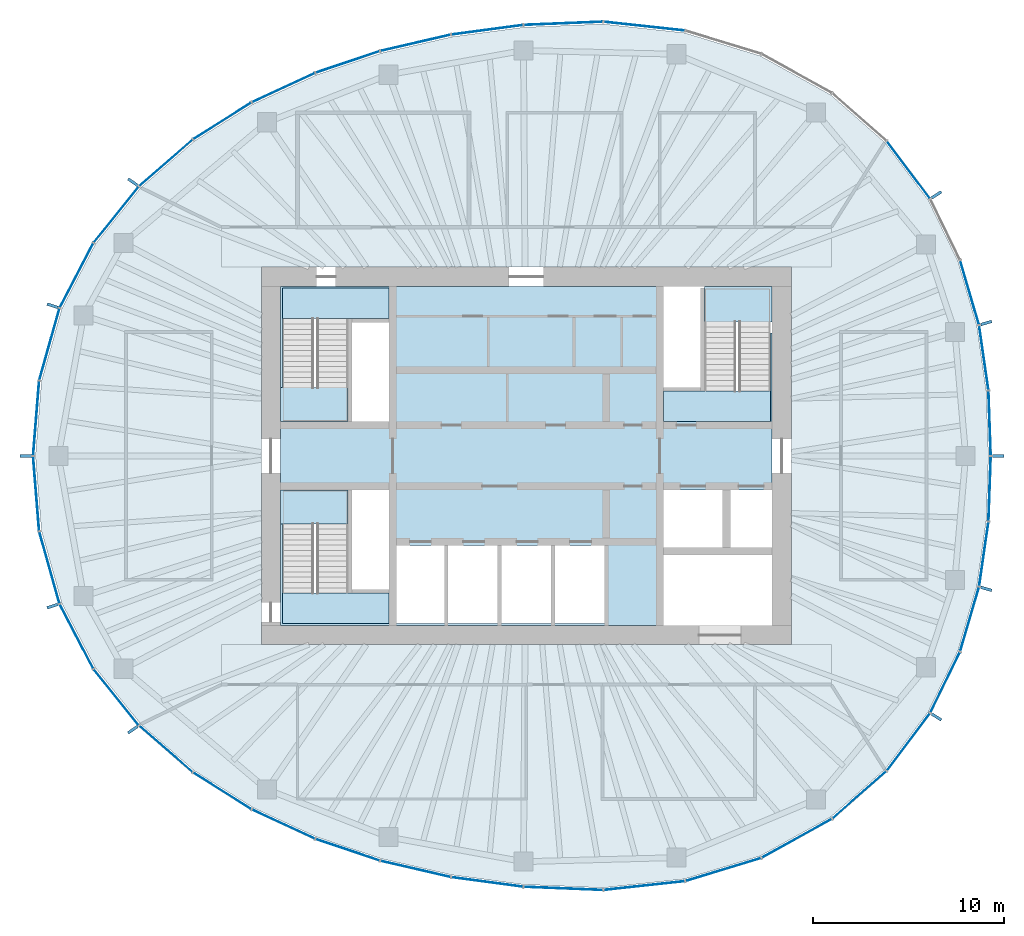
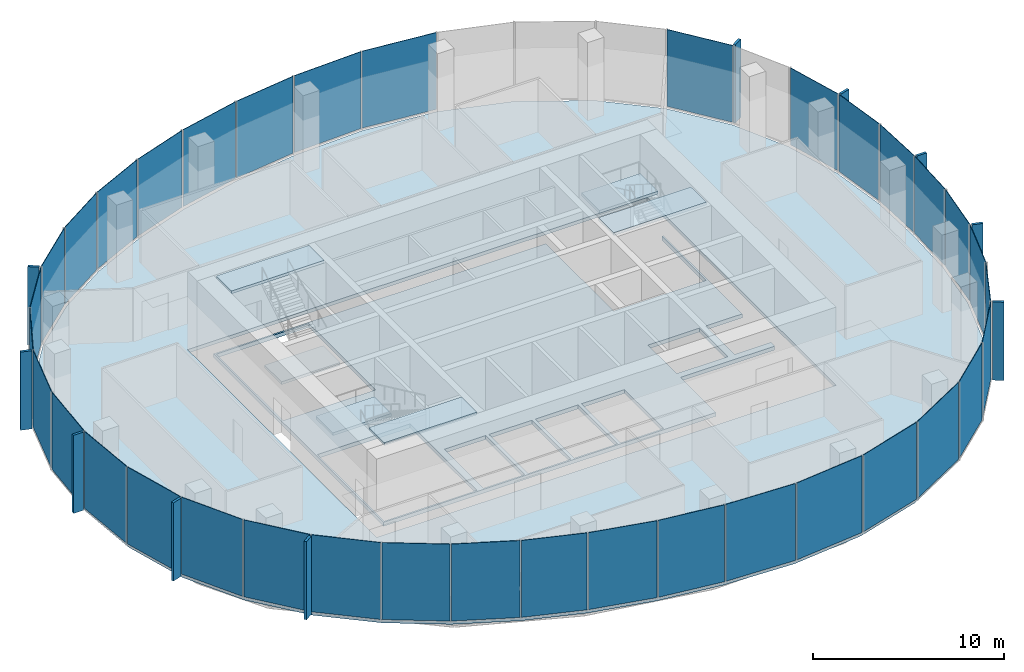
# One storey, part 7 of 11: 46 plates, 8 slabs, 22 elements without a shape of their own.
"""IFC4 building model written with IfcOpenShell, lengths in metres."""

from ifc_helpers import new_model, si_unit, direction, frame, origin, origin_2d, place, context, subcontext, project, spatial, polyline, rectangle, outline, extrude, material, layer, layer_set, type_object, element, aggregate, save


model = new_model("IFC4")

# Units and contexts
model_context = context("Model", 3, precision=1e-05, world=origin(), true_north=direction((0.0, 1.0)))
body_context = subcontext(model_context, "Body", "Model", "MODEL_VIEW")
ifc_project = project(units=[si_unit("LENGTHUNIT", "METRE"), si_unit("AREAUNIT", "SQUARE_METRE"), si_unit("VOLUMEUNIT", "CUBIC_METRE"), si_unit("PLANEANGLEUNIT", "RADIAN"), si_unit("MASSUNIT", "GRAM", prefix="KILO")], contexts=[model_context])

# Site, building, storey
site_placement = place(None, origin())
site = spatial("IfcSite", under=ifc_project, at=site_placement, CompositionType="ELEMENT")
building_placement = place(site_placement, origin())
building = spatial("IfcBuilding", under=site, at=building_placement, Name="Ghaith Harvest Tower", CompositionType="ELEMENT")
storey_placement = place(building_placement, frame((0.0, 0.0, 334.199951171875)))
storey = spatial("IfcBuildingStorey", under=building, at=storey_placement, Name="L75", CompositionType="ELEMENT", Elevation=334.199951171875)

# Curtain wall, plates
ifc_material_1 = material(Name="Black anodised aluminium and fritted glass", Category="aluminium")
curtain_wall_type = type_object("IfcCurtainWallType", Name="CW-T CURTAIN WALL", PredefinedType="NOTDEFINED", material=ifc_material_1)
curtain_wall_1_placement = place(storey_placement, origin())
curtain_wall_1 = element("IfcCurtainWall", 1, at=curtain_wall_1_placement, inside=storey, type_object=curtain_wall_type, Name="Curtain wall CW-T bay 01 L75", PredefinedType="NOTDEFINED")
ifc_material_2 = material(Name="Glass, dark solar-control fritted double glazed unit", Category="glass")
ifc_layer_1 = layer(ifc_material_2, 0.033935546875)
ifc_layer_set_1 = layer_set([ifc_layer_1], Name="CW-T VISION PANEL")
plate_type_1 = type_object("IfcPlateType", Name="CW-T VISION PANEL", PredefinedType="CURTAIN_PANEL", material=ifc_layer_set_1)
plate_1_placement = place(storey_placement, frame((24.308837890625, 1.716796875, 0.080078125), z_axis=(0.0, 0.0, 1.0), x_axis=(-0.035536161859, 0.999368391135, 0.0)))
plate_1 = element("IfcPlate", 2, at=plate_1_placement, type_object=plate_type_1, Name="CW-T glass unit 1 bay 01 L75", PredefinedType="CURTAIN_PANEL", context=body_context, shape_type="SweptSolid", body=[
    extrude(rectangle(XDim=3.35595703125, YDim=0.033935546875, at=origin_2d()), origin(), (0.0, 0.0, 1.0), 4.919921875),
])
plate_2_placement = place(storey_placement, frame((24.00048828125, 5.1494140625, 0.080078125), z_axis=(0.0, 0.0, 1.0), x_axis=(-0.142729771229, 0.989761694755, 0.0)))
plate_2 = element("IfcPlate", 3, at=plate_2_placement, type_object=plate_type_1, Name="CW-T glass unit 2 bay 01 L75", PredefinedType="CURTAIN_PANEL", context=body_context, shape_type="SweptSolid", body=[
    extrude(rectangle(XDim=3.38671875, YDim=0.033935546875, at=origin_2d()), origin(), (0.0, 0.0, 1.0), 4.919921875),
])
aggregate(curtain_wall_1, [plate_1, plate_2])

# Curtain wall, plate
curtain_wall_2_placement = place(storey_placement, origin())
curtain_wall_2 = element("IfcCurtainWall", 4, at=curtain_wall_2_placement, inside=storey, type_object=curtain_wall_type, Name="Curtain wall CW-T bay 02 L75", PredefinedType="NOTDEFINED")
plate_3_placement = place(storey_placement, frame((23.253662109375, 8.56884765625, 0.080078125), z_axis=(0.0, 0.0, 1.0), x_axis=(-0.281344622776, 0.959606796159, 0.0)))
plate_3 = element("IfcPlate", 5, at=plate_3_placement, type_object=plate_type_1, Name="CW-T glass unit 1 bay 02 L75", PredefinedType="CURTAIN_PANEL", context=body_context, shape_type="SweptSolid", body=[
    extrude(rectangle(XDim=3.470703125, YDim=0.033935546875, at=origin_2d()), origin(), (0.0, 0.0, 1.0), 4.919921875),
])
aggregate(curtain_wall_2, [plate_3])

curtain_wall_3_placement = place(storey_placement, origin())
curtain_wall_3 = element("IfcCurtainWall", 6, at=curtain_wall_3_placement, inside=storey, type_object=curtain_wall_type, Name="Curtain wall CW-T bay 03 L75", PredefinedType="NOTDEFINED")
plate_4_placement = place(storey_placement, frame((20.045166015625, 15.006103515625, 0.080078125), z_axis=(0.0, 0.0, 1.0), x_axis=(-0.601047892764, 0.799213007029, 0.0)))
plate_4 = element("IfcPlate", 7, at=plate_4_placement, type_object=plate_type_1, Name="CW-T glass unit 1 bay 03 L75", PredefinedType="CURTAIN_PANEL", context=body_context, shape_type="SweptSolid", body=[
    extrude(rectangle(XDim=3.7265625, YDim=0.033935546875, at=origin_2d()), origin(), (0.0, 0.0, 1.0), 4.919921875),
])
aggregate(curtain_wall_3, [plate_4])

# Curtain wall, plates
curtain_wall_4_placement = place(storey_placement, origin())
curtain_wall_4 = element("IfcCurtainWall", 8, at=curtain_wall_4_placement, inside=storey, type_object=curtain_wall_type, Name="Curtain wall CW-T bay 05 L75", PredefinedType="NOTDEFINED")
plate_5_placement = place(storey_placement, frame((6.188720703125, 22.542724609375, 0.080078125), z_axis=(0.0, 0.0, 1.0), x_axis=(-0.994142883447, 0.108073712304, 0.0)))
plate_5 = element("IfcPlate", 9, at=plate_5_placement, type_object=plate_type_1, Name="CW-T glass unit 1 bay 05 L75", PredefinedType="CURTAIN_PANEL", context=body_context, shape_type="SweptSolid", body=[
    extrude(rectangle(XDim=4.24755859375, YDim=0.033935546875, at=origin_2d()), origin(), (0.0, 0.0, 1.0), 4.919921875),
])
plate_6_placement = place(storey_placement, frame((1.94140625, 22.691162109375, 0.080078125), z_axis=(0.0, 0.0, 1.0), x_axis=(-0.999173925852, -0.040638231968, 0.0)))
plate_6 = element("IfcPlate", 10, at=plate_6_placement, type_object=plate_type_1, Name="CW-T glass unit 2 bay 05 L75", PredefinedType="CURTAIN_PANEL", context=body_context, shape_type="SweptSolid", body=[
    extrude(rectangle(XDim=4.115966796875, YDim=0.033935546875, at=origin_2d()), origin(), (0.0, 0.0, 1.0), 4.919921875),
])
aggregate(curtain_wall_4, [plate_5, plate_6])

curtain_wall_5_placement = place(storey_placement, origin())
curtain_wall_5 = element("IfcCurtainWall", 11, at=curtain_wall_5_placement, inside=storey, type_object=curtain_wall_type, Name="Curtain wall CW-T bay 06 L75", PredefinedType="NOTDEFINED")
plate_7_placement = place(storey_placement, frame((-2.050537109375, 22.352294921875, 0.080078125), z_axis=(0.0, 0.0, 1.0), x_axis=(-0.991165262661, -0.132632658474, 0.0)))
plate_7 = element("IfcPlate", 12, at=plate_7_placement, type_object=plate_type_1, Name="CW-T glass unit 1 bay 06 L75", PredefinedType="CURTAIN_PANEL", context=body_context, shape_type="SweptSolid", body=[
    extrude(rectangle(XDim=3.74560546875, YDim=0.033935546875, at=origin_2d()), origin(), (0.0, 0.0, 1.0), 4.919921875),
])
plate_8_placement = place(storey_placement, frame((-5.80859375, 21.66845703125, 0.080078125), z_axis=(0.0, 0.0, 1.0), x_axis=(-0.974342245415, -0.225071519297, 0.0)))
plate_8 = element("IfcPlate", 13, at=plate_8_placement, type_object=plate_type_1, Name="CW-T glass unit 2 bay 06 L75", PredefinedType="CURTAIN_PANEL", context=body_context, shape_type="SweptSolid", body=[
    extrude(rectangle(XDim=3.742431640625, YDim=0.033935546875, at=origin_2d()), origin(), (0.0, 0.0, 1.0), 4.919921875),
])
aggregate(curtain_wall_5, [plate_7, plate_8])

curtain_wall_6_placement = place(storey_placement, origin())
curtain_wall_6 = element("IfcCurtainWall", 14, at=curtain_wall_6_placement, inside=storey, type_object=curtain_wall_type, Name="Curtain wall CW-T bay 07 L75", PredefinedType="NOTDEFINED")
plate_9_placement = place(storey_placement, frame((-9.369140625, 20.665771484375, 0.080078125), z_axis=(0.0, 0.0, 1.0), x_axis=(-0.947586403329, -0.319499621637, 0.0)))
plate_9 = element("IfcPlate", 15, at=plate_9_placement, type_object=plate_type_1, Name="CW-T glass unit 1 bay 07 L75", PredefinedType="CURTAIN_PANEL", context=body_context, shape_type="SweptSolid", body=[
    extrude(rectangle(XDim=3.50439453125, YDim=0.033935546875, at=origin_2d()), origin(), (0.0, 0.0, 1.0), 4.919921875),
])
plate_10_placement = place(storey_placement, frame((-12.736083984375, 19.3203125, 0.080078125), z_axis=(0.0, 0.0, 1.0), x_axis=(-0.907450165401, -0.420159728334, 0.0)))
plate_10 = element("IfcPlate", 16, at=plate_10_placement, type_object=plate_type_1, Name="CW-T glass unit 2 bay 07 L75", PredefinedType="CURTAIN_PANEL", context=body_context, shape_type="SweptSolid", body=[
    extrude(rectangle(XDim=3.597900390625, YDim=0.033935546875, at=origin_2d()), origin(), (0.0, 0.0, 1.0), 4.919921875),
])
aggregate(curtain_wall_6, [plate_9, plate_10])

curtain_wall_7_placement = place(storey_placement, origin())
curtain_wall_7 = element("IfcCurtainWall", 17, at=curtain_wall_7_placement, inside=storey, type_object=curtain_wall_type, Name="Curtain wall CW-T bay 08 L75", PredefinedType="NOTDEFINED")
plate_11_placement = place(storey_placement, frame((-15.94970703125, 17.57421875, 0.080078125), z_axis=(0.0, 0.0, 1.0), x_axis=(-0.846043473903, -0.533113909279, 0.0)))
plate_11 = element("IfcPlate", 18, at=plate_11_placement, type_object=plate_type_1, Name="CW-T glass unit 1 bay 08 L75", PredefinedType="CURTAIN_PANEL", context=body_context, shape_type="SweptSolid", body=[
    extrude(rectangle(XDim=3.572021484375, YDim=0.033935546875, at=origin_2d()), origin(), (0.0, 0.0, 1.0), 4.919921875),
])
plate_12_placement = place(storey_placement, frame((-18.909423828125, 15.371337890625, 0.080078125), z_axis=(0.0, 0.0, 1.0), x_axis=(-0.754828549513, -0.655922145411, 0.0)))
plate_12 = element("IfcPlate", 19, at=plate_12_placement, type_object=plate_type_1, Name="CW-T glass unit 2 bay 08 L75", PredefinedType="CURTAIN_PANEL", context=body_context, shape_type="SweptSolid", body=[
    extrude(rectangle(XDim=3.668701171875, YDim=0.033935546875, at=origin_2d()), origin(), (0.0, 0.0, 1.0), 4.919921875),
])
aggregate(curtain_wall_7, [plate_11, plate_12])

curtain_wall_8_placement = place(storey_placement, origin())
curtain_wall_8 = element("IfcCurtainWall", 20, at=curtain_wall_8_placement, inside=storey, type_object=curtain_wall_type, Name="Curtain wall CW-T bay 09 L75", PredefinedType="NOTDEFINED")
plate_13_placement = place(storey_placement, frame((-21.515380859375, 12.6591796875, 0.080078125), z_axis=(0.0, 0.0, 1.0), x_axis=(-0.626229505742, -0.779638766441, 0.0)))
plate_13 = element("IfcPlate", 21, at=plate_13_placement, type_object=plate_type_1, Name="CW-T glass unit 1 bay 09 L75", PredefinedType="CURTAIN_PANEL", context=body_context, shape_type="SweptSolid", body=[
    extrude(rectangle(XDim=3.723388671875, YDim=0.033935546875, at=origin_2d()), origin(), (0.0, 0.0, 1.0), 4.919921875),
])
plate_14_placement = place(storey_placement, frame((-23.594482421875, 9.4677734375, 0.080078125), z_axis=(0.0, 0.0, 1.0), x_axis=(-0.461229945578, -0.887280641794, 0.0)))
plate_14 = element("IfcPlate", 22, at=plate_14_placement, type_object=plate_type_1, Name="CW-T glass unit 2 bay 09 L75", PredefinedType="CURTAIN_PANEL", context=body_context, shape_type="SweptSolid", body=[
    extrude(rectangle(XDim=3.771728515625, YDim=0.033935546875, at=origin_2d()), origin(), (0.0, 0.0, 1.0), 4.919921875),
])
aggregate(curtain_wall_8, [plate_13, plate_14])

curtain_wall_9_placement = place(storey_placement, origin())
curtain_wall_9 = element("IfcCurtainWall", 23, at=curtain_wall_9_placement, inside=storey, type_object=curtain_wall_type, Name="Curtain wall CW-T bay 10 L75", PredefinedType="NOTDEFINED")
plate_15_placement = place(storey_placement, frame((-25.017333984375, 5.85546875, 0.080078125), z_axis=(0.0, 0.0, 1.0), x_axis=(-0.270355239749, -0.962760637095, 0.0)))
plate_15 = element("IfcPlate", 24, at=plate_15_placement, type_object=plate_type_1, Name="CW-T glass unit 1 bay 10 L75", PredefinedType="CURTAIN_PANEL", context=body_context, shape_type="SweptSolid", body=[
    extrude(rectangle(XDim=3.874267578125, YDim=0.033935546875, at=origin_2d()), origin(), (0.0, 0.0, 1.0), 4.919921875),
])
plate_16_placement = place(storey_placement, frame((-25.7109375, 1.97607421875, 0.080078125), z_axis=(0.0, 0.0, 1.0), x_axis=(-0.080257648011, -0.99677415192, 0.0)))
plate_16 = element("IfcPlate", 25, at=plate_16_placement, type_object=plate_type_1, Name="CW-T glass unit 2 bay 10 L75", PredefinedType="CURTAIN_PANEL", context=body_context, shape_type="SweptSolid", body=[
    extrude(rectangle(XDim=3.884765625, YDim=0.033935546875, at=origin_2d()), origin(), (0.0, 0.0, 1.0), 4.919921875),
])
aggregate(curtain_wall_9, [plate_15, plate_16])

curtain_wall_10_placement = place(storey_placement, origin())
curtain_wall_10 = element("IfcCurtainWall", 26, at=curtain_wall_10_placement, inside=storey, type_object=curtain_wall_type, Name="Curtain wall CW-T bay 11 L75", PredefinedType="NOTDEFINED")
plate_17_placement = place(storey_placement, frame((-25.7109375, -1.97607421875, 0.080078125), z_axis=(0.0, 0.0, 1.0), x_axis=(0.080257648324, -0.996774151895, 0.0)))
plate_17 = element("IfcPlate", 27, at=plate_17_placement, type_object=plate_type_1, Name="CW-T glass unit 1 bay 11 L75", PredefinedType="CURTAIN_PANEL", context=body_context, shape_type="SweptSolid", body=[
    extrude(rectangle(XDim=3.884765625, YDim=0.033935546875, at=origin_2d()), origin(), (0.0, 0.0, 1.0), 4.919921875),
])
plate_18_placement = place(storey_placement, frame((-25.017333984375, -5.85546875, 0.080078125), z_axis=(0.0, 0.0, 1.0), x_axis=(0.27035523953, -0.962760637157, 0.0)))
plate_18 = element("IfcPlate", 28, at=plate_18_placement, type_object=plate_type_1, Name="CW-T glass unit 2 bay 11 L75", PredefinedType="CURTAIN_PANEL", context=body_context, shape_type="SweptSolid", body=[
    extrude(rectangle(XDim=3.874267578125, YDim=0.033935546875, at=origin_2d()), origin(), (0.0, 0.0, 1.0), 4.919921875),
])
aggregate(curtain_wall_10, [plate_17, plate_18])

curtain_wall_11_placement = place(storey_placement, origin())
curtain_wall_11 = element("IfcCurtainWall", 29, at=curtain_wall_11_placement, inside=storey, type_object=curtain_wall_type, Name="Curtain wall CW-T bay 12 L75", PredefinedType="NOTDEFINED")
plate_19_placement = place(storey_placement, frame((-23.594482421875, -9.4677734375, 0.080078125), z_axis=(0.0, 0.0, 1.0), x_axis=(0.461229945377, -0.887280641898, 0.0)))
plate_19 = element("IfcPlate", 30, at=plate_19_placement, type_object=plate_type_1, Name="CW-T glass unit 1 bay 12 L75", PredefinedType="CURTAIN_PANEL", context=body_context, shape_type="SweptSolid", body=[
    extrude(rectangle(XDim=3.771728515625, YDim=0.033935546875, at=origin_2d()), origin(), (0.0, 0.0, 1.0), 4.919921875),
])
plate_20_placement = place(storey_placement, frame((-21.515380859375, -12.6591796875, 0.080078125), z_axis=(0.0, 0.0, 1.0), x_axis=(0.626229505565, -0.779638766583, 0.0)))
plate_20 = element("IfcPlate", 31, at=plate_20_placement, type_object=plate_type_1, Name="CW-T glass unit 2 bay 12 L75", PredefinedType="CURTAIN_PANEL", context=body_context, shape_type="SweptSolid", body=[
    extrude(rectangle(XDim=3.723388671875, YDim=0.033935546875, at=origin_2d()), origin(), (0.0, 0.0, 1.0), 4.919921875),
])
aggregate(curtain_wall_11, [plate_19, plate_20])

curtain_wall_12_placement = place(storey_placement, origin())
curtain_wall_12 = element("IfcCurtainWall", 32, at=curtain_wall_12_placement, inside=storey, type_object=curtain_wall_type, Name="Curtain wall CW-T bay 13 L75", PredefinedType="NOTDEFINED")
plate_21_placement = place(storey_placement, frame((-18.909423828125, -15.371337890625, 0.080078125), z_axis=(0.0, 0.0, 1.0), x_axis=(0.754828549376, -0.655922145569, 0.0)))
plate_21 = element("IfcPlate", 33, at=plate_21_placement, type_object=plate_type_1, Name="CW-T glass unit 1 bay 13 L75", PredefinedType="CURTAIN_PANEL", context=body_context, shape_type="SweptSolid", body=[
    extrude(rectangle(XDim=3.668701171875, YDim=0.033935546875, at=origin_2d()), origin(), (0.0, 0.0, 1.0), 4.919921875),
])
plate_22_placement = place(storey_placement, frame((-15.94970703125, -17.57421875, 0.080078125), z_axis=(0.0, 0.0, 1.0), x_axis=(0.846043474052, -0.533113909042, 0.0)))
plate_22 = element("IfcPlate", 34, at=plate_22_placement, type_object=plate_type_1, Name="CW-T glass unit 2 bay 13 L75", PredefinedType="CURTAIN_PANEL", context=body_context, shape_type="SweptSolid", body=[
    extrude(rectangle(XDim=3.572021484375, YDim=0.033935546875, at=origin_2d()), origin(), (0.0, 0.0, 1.0), 4.919921875),
])
aggregate(curtain_wall_12, [plate_21, plate_22])

curtain_wall_13_placement = place(storey_placement, origin())
curtain_wall_13 = element("IfcCurtainWall", 35, at=curtain_wall_13_placement, inside=storey, type_object=curtain_wall_type, Name="Curtain wall CW-T bay 14 L75", PredefinedType="NOTDEFINED")
plate_23_placement = place(storey_placement, frame((-12.736083984375, -19.3203125, 0.080078125), z_axis=(0.0, 0.0, 1.0), x_axis=(0.907450165812, -0.420159727447, 0.0)))
plate_23 = element("IfcPlate", 36, at=plate_23_placement, type_object=plate_type_1, Name="CW-T glass unit 1 bay 14 L75", PredefinedType="CURTAIN_PANEL", context=body_context, shape_type="SweptSolid", body=[
    extrude(rectangle(XDim=3.597900390625, YDim=0.033935546875, at=origin_2d()), origin(), (0.0, 0.0, 1.0), 4.919921875),
])
plate_24_placement = place(storey_placement, frame((-9.369140625, -20.665771484375, 0.080078125), z_axis=(0.0, 0.0, 1.0), x_axis=(0.947586403597, -0.319499620843, 0.0)))
plate_24 = element("IfcPlate", 37, at=plate_24_placement, type_object=plate_type_1, Name="CW-T glass unit 2 bay 14 L75", PredefinedType="CURTAIN_PANEL", context=body_context, shape_type="SweptSolid", body=[
    extrude(rectangle(XDim=3.50439453125, YDim=0.033935546875, at=origin_2d()), origin(), (0.0, 0.0, 1.0), 4.919921875),
])
aggregate(curtain_wall_13, [plate_23, plate_24])

curtain_wall_14_placement = place(storey_placement, origin())
curtain_wall_14 = element("IfcCurtainWall", 38, at=curtain_wall_14_placement, inside=storey, type_object=curtain_wall_type, Name="Curtain wall CW-T bay 15 L75", PredefinedType="NOTDEFINED")
plate_25_placement = place(storey_placement, frame((-5.80859375, -21.66845703125, 0.080078125), z_axis=(0.0, 0.0, 1.0), x_axis=(0.974342245521, -0.225071518838, 0.0)))
plate_25 = element("IfcPlate", 39, at=plate_25_placement, type_object=plate_type_1, Name="CW-T glass unit 1 bay 15 L75", PredefinedType="CURTAIN_PANEL", context=body_context, shape_type="SweptSolid", body=[
    extrude(rectangle(XDim=3.742431640625, YDim=0.033935546875, at=origin_2d()), origin(), (0.0, 0.0, 1.0), 4.919921875),
])
plate_26_placement = place(storey_placement, frame((-2.050537109375, -22.352294921875, 0.080078125), z_axis=(0.0, 0.0, 1.0), x_axis=(0.991165262684, -0.132632658301, 0.0)))
plate_26 = element("IfcPlate", 40, at=plate_26_placement, type_object=plate_type_1, Name="CW-T glass unit 2 bay 15 L75", PredefinedType="CURTAIN_PANEL", context=body_context, shape_type="SweptSolid", body=[
    extrude(rectangle(XDim=3.74560546875, YDim=0.033935546875, at=origin_2d()), origin(), (0.0, 0.0, 1.0), 4.919921875),
])
aggregate(curtain_wall_14, [plate_25, plate_26])

curtain_wall_15_placement = place(storey_placement, origin())
curtain_wall_15 = element("IfcCurtainWall", 41, at=curtain_wall_15_placement, inside=storey, type_object=curtain_wall_type, Name="Curtain wall CW-T bay 16 L75", PredefinedType="NOTDEFINED")
plate_27_placement = place(storey_placement, frame((1.94140625, -22.691162109375, 0.080078125), z_axis=(0.0, 0.0, 1.0), x_axis=(0.999173925863, -0.040638231706, 0.0)))
plate_27 = element("IfcPlate", 42, at=plate_27_placement, type_object=plate_type_1, Name="CW-T glass unit 1 bay 16 L75", PredefinedType="CURTAIN_PANEL", context=body_context, shape_type="SweptSolid", body=[
    extrude(rectangle(XDim=4.115966796875, YDim=0.033935546875, at=origin_2d()), origin(), (0.0, 0.0, 1.0), 4.919921875),
])
plate_28_placement = place(storey_placement, frame((6.188720703125, -22.542724609375, 0.080078125), z_axis=(0.0, 0.0, 1.0), x_axis=(0.994142883417, 0.108073712581, 0.0)))
plate_28 = element("IfcPlate", 43, at=plate_28_placement, type_object=plate_type_1, Name="CW-T glass unit 2 bay 16 L75", PredefinedType="CURTAIN_PANEL", context=body_context, shape_type="SweptSolid", body=[
    extrude(rectangle(XDim=4.24755859375, YDim=0.033935546875, at=origin_2d()), origin(), (0.0, 0.0, 1.0), 4.919921875),
])
aggregate(curtain_wall_15, [plate_27, plate_28])

curtain_wall_16_placement = place(storey_placement, origin())
curtain_wall_16 = element("IfcCurtainWall", 44, at=curtain_wall_16_placement, inside=storey, type_object=curtain_wall_type, Name="Curtain wall CW-T bay 17 L75", PredefinedType="NOTDEFINED")
plate_29_placement = place(storey_placement, frame((10.337158203125, -21.700439453125, 0.080078125), z_axis=(0.0, 0.0, 1.0), x_axis=(0.956587736012, 0.291444511548, 0.0)))
plate_29 = element("IfcPlate", 45, at=plate_29_placement, type_object=plate_type_1, Name="CW-T glass unit 1 bay 17 L75", PredefinedType="CURTAIN_PANEL", context=body_context, shape_type="SweptSolid", body=[
    extrude(rectangle(XDim=4.095703125, YDim=0.033935546875, at=origin_2d()), origin(), (0.0, 0.0, 1.0), 4.919921875),
])
plate_30_placement = place(storey_placement, frame((14.19189453125, -20.06201171875, 0.080078125), z_axis=(0.0, 0.0, 1.0), x_axis=(0.874564022715, 0.484910064004, 0.0)))
plate_30 = element("IfcPlate", 46, at=plate_30_placement, type_object=plate_type_1, Name="CW-T glass unit 2 bay 17 L75", PredefinedType="CURTAIN_PANEL", context=body_context, shape_type="SweptSolid", body=[
    extrude(rectangle(XDim=4.167724609375, YDim=0.033935546875, at=origin_2d()), origin(), (0.0, 0.0, 1.0), 4.919921875),
])
aggregate(curtain_wall_16, [plate_29, plate_30])

curtain_wall_17_placement = place(storey_placement, origin())
curtain_wall_17 = element("IfcCurtainWall", 47, at=curtain_wall_17_placement, inside=storey, type_object=curtain_wall_type, Name="Curtain wall CW-T bay 18 L75", PredefinedType="NOTDEFINED")
plate_31_placement = place(storey_placement, frame((17.47509765625, -17.779541015625, 0.080078125), z_axis=(0.0, 0.0, 1.0), x_axis=(0.751334532577, 0.659921525757, 0.0)))
plate_31 = element("IfcPlate", 48, at=plate_31_placement, type_object=plate_type_1, Name="CW-T glass unit 1 bay 18 L75", PredefinedType="CURTAIN_PANEL", context=body_context, shape_type="SweptSolid", body=[
    extrude(rectangle(XDim=3.7158203125, YDim=0.033935546875, at=origin_2d()), origin(), (0.0, 0.0, 1.0), 4.919921875),
])
plate_32_placement = place(storey_placement, frame((20.045166015625, -15.006103515625, 0.080078125), z_axis=(0.0, 0.0, 1.0), x_axis=(0.601047892945, 0.799213006892, 0.0)))
plate_32 = element("IfcPlate", 49, at=plate_32_placement, type_object=plate_type_1, Name="CW-T glass unit 2 bay 18 L75", PredefinedType="CURTAIN_PANEL", context=body_context, shape_type="SweptSolid", body=[
    extrude(rectangle(XDim=3.7265625, YDim=0.033935546875, at=origin_2d()), origin(), (0.0, 0.0, 1.0), 4.919921875),
])
aggregate(curtain_wall_17, [plate_31, plate_32])

curtain_wall_18_placement = place(storey_placement, origin())
curtain_wall_18 = element("IfcCurtainWall", 50, at=curtain_wall_18_placement, inside=storey, type_object=curtain_wall_type, Name="Curtain wall CW-T bay 19 L75", PredefinedType="NOTDEFINED")
plate_33_placement = place(storey_placement, frame((21.9716796875, -11.878662109375, 0.080078125), z_axis=(0.0, 0.0, 1.0), x_axis=(0.437968365352, 0.898990384237, 0.0)))
plate_33 = element("IfcPlate", 51, at=plate_33_placement, type_object=plate_type_1, Name="CW-T glass unit 1 bay 19 L75", PredefinedType="CURTAIN_PANEL", context=body_context, shape_type="SweptSolid", body=[
    extrude(rectangle(XDim=3.49365234375, YDim=0.033935546875, at=origin_2d()), origin(), (0.0, 0.0, 1.0), 4.919921875),
])
plate_34_placement = place(storey_placement, frame((23.253662109375, -8.56884765625, 0.080078125), z_axis=(0.0, 0.0, 1.0), x_axis=(0.281344622977, 0.9596067961, 0.0)))
plate_34 = element("IfcPlate", 52, at=plate_34_placement, type_object=plate_type_1, Name="CW-T glass unit 2 bay 19 L75", PredefinedType="CURTAIN_PANEL", context=body_context, shape_type="SweptSolid", body=[
    extrude(rectangle(XDim=3.470703125, YDim=0.033935546875, at=origin_2d()), origin(), (0.0, 0.0, 1.0), 4.919921875),
])
aggregate(curtain_wall_18, [plate_33, plate_34])

curtain_wall_19_placement = place(storey_placement, origin())
curtain_wall_19 = element("IfcCurtainWall", 53, at=curtain_wall_19_placement, inside=storey, type_object=curtain_wall_type, Name="Curtain wall CW-T bay 20 L75", PredefinedType="NOTDEFINED")
plate_35_placement = place(storey_placement, frame((24.00048828125, -5.1494140625, 0.080078125), z_axis=(0.0, 0.0, 1.0), x_axis=(0.142729771402, 0.98976169473, 0.0)))
plate_35 = element("IfcPlate", 54, at=plate_35_placement, type_object=plate_type_1, Name="CW-T glass unit 1 bay 20 L75", PredefinedType="CURTAIN_PANEL", context=body_context, shape_type="SweptSolid", body=[
    extrude(rectangle(XDim=3.38671875, YDim=0.033935546875, at=origin_2d()), origin(), (0.0, 0.0, 1.0), 4.919921875),
])
plate_36_placement = place(storey_placement, frame((24.308837890625, -1.716796875, 0.080078125), z_axis=(0.0, 0.0, 1.0), x_axis=(0.035536161929, 0.999368391133, 0.0)))
plate_36 = element("IfcPlate", 55, at=plate_36_placement, type_object=plate_type_1, Name="CW-T glass unit 2 bay 20 L75", PredefinedType="CURTAIN_PANEL", context=body_context, shape_type="SweptSolid", body=[
    extrude(rectangle(XDim=3.35595703125, YDim=0.033935546875, at=origin_2d()), origin(), (0.0, 0.0, 1.0), 4.919921875),
])
aggregate(curtain_wall_19, [plate_35, plate_36])

# Slabs
ifc_material_3 = material(Name="Concrete C40/50", Category="concrete")
ifc_layer_2 = layer(ifc_material_3, 0.22509765625)
ifc_layer_set_2 = layer_set([ifc_layer_2], Name="FLOOR SLAB 225")
slab_type_1 = type_object("IfcSlabType", Name="FLOOR SLAB 225", PredefinedType="FLOOR", material=ifc_layer_set_2)
slab_1_placement = place(storey_placement, frame((0.0, 0.0, -0.224853515625)))
element("IfcSlab", 56, at=slab_1_placement, inside=storey, type_object=slab_type_1, Name="Floor slab L75", PredefinedType="FLOOR", context=body_context, shape_type="SweptSolid", body=[
    extrude(outline(polyline([(24.25, 0.0), (24.129150390625, 3.4169921875), (23.6376953125, 6.831787109375), (22.644775390625, 10.222900390625), (21.087890625, 13.42041015625), (18.810791015625, 16.4482421875), (15.971923828125, 18.940185546875), (12.273681640625, 20.98828125), (8.2978515625, 22.1962890625), (4.016845703125, 22.658447265625), (-0.15380859375, 22.486083984375), (-3.92529296875, 21.98046875), (-7.6298828125, 21.12548828125), (-11.009521484375, 19.98779296875), (-14.331298828125, 18.452880859375), (-17.40771484375, 16.518310546875), (-20.225830078125, 14.0732421875), (-22.5986328125, 11.12353515625), (-24.368408203125, 7.722900390625), (-25.43310546875, 3.93359375), (-25.75, 0.0), (-25.43310546875, -3.93359375), (-24.368408203125, -7.722900390625), (-22.5986328125, -11.12353515625), (-20.225830078125, -14.0732421875), (-17.40771484375, -16.518310546875), (-14.331298828125, -18.452880859375), (-11.009521484375, -19.98779296875), (-7.6298828125, -21.12548828125), (-3.92529296875, -21.98046875), (-0.15380859375, -22.486083984375), (4.016845703125, -22.658447265625), (8.2978515625, -22.1962890625), (12.273681640625, -20.98828125), (15.971923828125, -18.940185546875), (18.810791015625, -16.4482421875), (21.087890625, -13.42041015625), (22.644775390625, -10.222900390625), (23.6376953125, -6.831787109375), (24.129150390625, -3.4169921875), (24.25, 0.0)]), holes=[polyline([(-13.89990234375, -9.89990234375), (13.89990234375, -9.89990234375), (13.89990234375, 9.89990234375), (-13.89990234375, 9.89990234375), (-13.89990234375, -9.89990234375)])]), origin(), (0.0, 0.0, 1.0), 0.224853515625),
])
ifc_material_4 = material(Name="Concrete C40/50", Category="concrete")
ifc_layer_3 = layer(ifc_material_4, 0.25)
ifc_layer_set_3 = layer_set([ifc_layer_3], Name="FLOOR SLAB 250")
slab_type_2 = type_object("IfcSlabType", Name="FLOOR SLAB 250", PredefinedType="FLOOR", material=ifc_layer_set_3)
slab_2_placement = place(storey_placement, frame((0.0, 0.0, -0.25)))
element("IfcSlab", 57, at=slab_2_placement, inside=storey, type_object=slab_type_2, Name="Core slab L75", PredefinedType="FLOOR", context=body_context, shape_type="SweptSolid", body=[
    extrude(outline(polyline([(-12.89990234375, 8.89990234375), (7.199951171875, 8.89990234375), (7.199951171875, 1.800048828125), (12.800048828125, 1.800048828125), (12.800048828125, 6.4599609375), (12.89990234375, 6.4599609375), (12.89990234375, -1.800048828125), (10.699951171875, -1.800048828125), (10.699951171875, -4.800048828125), (12.89990234375, -4.800048828125), (12.89990234375, -5.199951171875), (7.199951171875, -5.199951171875), (7.199951171875, -8.89990234375), (-12.89990234375, -8.89990234375), (-12.89990234375, 8.89990234375)]), holes=[polyline([(-4.300048828125, -4.699951171875), (-6.800048828125, -4.699951171875), (-6.800048828125, -8.800048828125), (-4.300048828125, -8.800048828125), (-4.300048828125, -4.699951171875)]), polyline([(-1.5, -4.699951171875), (-4.10009765625, -4.699951171875), (-4.10009765625, -8.800048828125), (-1.5, -8.800048828125), (-1.5, -4.699951171875)]), polyline([(1.300048828125, -8.800048828125), (1.300048828125, -4.699951171875), (-1.300048828125, -4.699951171875), (-1.300048828125, -8.800048828125), (1.300048828125, -8.800048828125)]), polyline([(4.10009765625, -8.800048828125), (4.10009765625, -4.699951171875), (1.5, -4.699951171875), (1.5, -8.800048828125), (4.10009765625, -8.800048828125)]), polyline([(-7.199951171875, -1.800048828125), (-12.800048828125, -1.800048828125), (-12.800048828125, -8.800048828125), (-7.199951171875, -8.800048828125), (-7.199951171875, -1.800048828125)]), polyline([(10.300048828125, -1.800048828125), (7.199951171875, -1.800048828125), (7.199951171875, -4.800048828125), (10.300048828125, -4.800048828125), (10.300048828125, -1.800048828125)]), polyline([(-12.800048828125, 1.800048828125), (-7.199951171875, 1.800048828125), (-7.199951171875, 8.800048828125), (-12.800048828125, 8.800048828125), (-12.800048828125, 1.800048828125)])]), origin(), (0.0, 0.0, 1.0), 0.25),
])

# Stair, slabs
ifc_material_5 = material(Name="Concrete C40/50, precast", Category="concrete")
stair_type = type_object("IfcStairType", Name="CORE STAIR 28R", PredefinedType="HALF_TURN_STAIR", material=ifc_material_5)
stair_1_placement = place(storey_placement, origin())
stair_1 = element("IfcStair", 58, at=stair_1_placement, inside=storey, type_object=stair_type, Name="Stair ST1 L75", PredefinedType="HALF_TURN_STAIR")
ifc_material_6 = material(Name="Concrete C40/50, precast", Category="concrete")
ifc_layer_4 = layer(ifc_material_6, 0.179931640625)
ifc_layer_set_4 = layer_set([ifc_layer_4], Name="STAIR LANDING 180")
slab_type_3 = type_object("IfcSlabType", Name="STAIR LANDING 180", PredefinedType="LANDING", material=ifc_layer_set_4)
slab_3_placement = place(storey_placement, frame((0.0, 0.0, 2.320068359375)))
slab_3 = element("IfcSlab", 59, at=slab_3_placement, type_object=slab_type_3, Name="ST1 landing 1", PredefinedType="LANDING", context=body_context, shape_type="SweptSolid", body=[
    extrude(outline(polyline([(-12.89990234375, 3.580078125), (-12.89990234375, 1.800048828125), (-9.35009765625, 1.800048828125), (-9.35009765625, 3.580078125), (-12.89990234375, 3.580078125)])), origin(), (0.0, 0.0, 1.0), 0.179931640625),
])
slab_4_placement = place(storey_placement, frame((0.0, 0.0, 4.820068359375)))
slab_4 = element("IfcSlab", 60, at=slab_4_placement, type_object=slab_type_3, Name="ST1 landing 2", PredefinedType="LANDING", context=body_context, shape_type="SweptSolid", body=[
    extrude(outline(polyline([(-12.800048828125, 8.800048828125), (-12.800048828125, 7.199951171875), (-7.199951171875, 7.199951171875), (-7.199951171875, 8.800048828125), (-12.800048828125, 8.800048828125)])), origin(), (0.0, 0.0, 1.0), 0.179931640625),
])
aggregate(stair_1, [slab_3, slab_4])

stair_2_placement = place(storey_placement, origin())
stair_2 = element("IfcStair", 61, at=stair_2_placement, inside=storey, type_object=stair_type, Name="Stair ST3 L75", PredefinedType="HALF_TURN_STAIR")
slab_5_placement = place(storey_placement, frame((0.0, 0.0, 2.320068359375)))
slab_5 = element("IfcSlab", 62, at=slab_5_placement, type_object=slab_type_3, Name="ST3 landing 1", PredefinedType="LANDING", context=body_context, shape_type="SweptSolid", body=[
    extrude(outline(polyline([(-12.89990234375, -3.580078125), (-12.89990234375, -1.800048828125), (-9.35009765625, -1.800048828125), (-9.35009765625, -3.580078125), (-12.89990234375, -3.580078125)])), origin(), (0.0, 0.0, 1.0), 0.179931640625),
])
slab_6_placement = place(storey_placement, frame((0.0, 0.0, 4.820068359375)))
slab_6 = element("IfcSlab", 63, at=slab_6_placement, type_object=slab_type_3, Name="ST3 landing 2", PredefinedType="LANDING", context=body_context, shape_type="SweptSolid", body=[
    extrude(outline(polyline([(-12.800048828125, -8.800048828125), (-12.800048828125, -7.199951171875), (-7.199951171875, -7.199951171875), (-7.199951171875, -8.800048828125), (-12.800048828125, -8.800048828125)])), origin(), (0.0, 0.0, 1.0), 0.179931640625),
])
aggregate(stair_2, [slab_5, slab_6])

stair_3_placement = place(storey_placement, origin())
stair_3 = element("IfcStair", 64, at=stair_3_placement, inside=storey, type_object=stair_type, Name="Stair ST2 L75", PredefinedType="HALF_TURN_STAIR")
slab_7_placement = place(storey_placement, frame((0.0, 0.0, 2.320068359375)))
slab_7 = element("IfcSlab", 65, at=slab_7_placement, type_object=slab_type_3, Name="ST2 landing 1", PredefinedType="LANDING", context=body_context, shape_type="SweptSolid", body=[
    extrude(outline(polyline([(12.89990234375, 7.02001953125), (12.89990234375, 8.89990234375), (9.35009765625, 8.89990234375), (9.35009765625, 7.02001953125), (12.89990234375, 7.02001953125)])), origin(), (0.0, 0.0, 1.0), 0.179931640625),
])
slab_8_placement = place(storey_placement, frame((0.0, 0.0, 4.820068359375)))
slab_8 = element("IfcSlab", 66, at=slab_8_placement, type_object=slab_type_3, Name="ST2 landing 2", PredefinedType="LANDING", context=body_context, shape_type="SweptSolid", body=[
    extrude(outline(polyline([(12.800048828125, 1.800048828125), (12.800048828125, 3.39990234375), (7.199951171875, 3.39990234375), (7.199951171875, 1.800048828125), (12.800048828125, 1.800048828125)])), origin(), (0.0, 0.0, 1.0), 0.179931640625),
])
aggregate(stair_3, [slab_7, slab_8])

# Plates
ifc_material_7 = material(Name="Glassfibre-reinforced concrete", Category="concrete")
ifc_layer_5 = layer(ifc_material_7, 0.14990234375)
ifc_layer_set_5 = layer_set([ifc_layer_5], Name="SUN-BREAKER FIN 600x150")
plate_type_2 = type_object("IfcPlateType", Name="SUN-BREAKER FIN 600x150", PredefinedType="USERDEFINED", material=ifc_layer_set_5)
for number, where, z_axis, x_axis, name in (
    (67, (24.760009765625, 0.0, 0.0), (0.0, 0.0, 1.0), (1.0, 0.0, 0.0), "Sun-breaker fin CW-T 1 bay 01 L75"),
    (68, (24.127685546875, 6.973388671875, 0.0), (0.0, 0.0, 1.0), (0.960680349985, 0.277656739792, 0.0), "Sun-breaker fin CW-T 1 bay 02 L75"),
    (69, (21.51806640625, 13.6943359375, 0.0), (0.0, 0.0, 1.0), (0.843643971464, 0.536903016766, 0.0), "Sun-breaker fin CW-T 1 bay 03 L75"),
    (70, (-20.64453125, 14.364501953125, 0.0), (0.0, 0.0, 1.0), (-0.820845486523, 0.571150319316, 0.0), "Sun-breaker fin CW-T 1 bay 09 L75"),
    (71, (-24.8544921875, 7.876708984375, 0.0), (0.0, 0.0, 1.0), (-0.953273219358, 0.302109531884, 0.0), "Sun-breaker fin CW-T 1 bay 10 L75"),
    (72, (-26.260009765625, 0.0, 0.0), (0.0, 0.0, 1.0), (-1.0, -4.19e-10, 0.0), "Sun-breaker fin CW-T 1 bay 11 L75"),
    (73, (-24.8544921875, -7.876708984375, 0.0), (0.0, 0.0, 1.0), (-0.953273219416, -0.302109531701, 0.0), "Sun-breaker fin CW-T 1 bay 12 L75"),
    (74, (-20.64453125, -14.364501953125, 0.0), (0.0, 0.0, 1.0), (-0.820845486622, -0.571150319173, 0.0), "Sun-breaker fin CW-T 1 bay 13 L75"),
    (75, (21.51806640625, -13.6943359375, 0.0), (0.0, 0.0, 1.0), (0.84364397137, -0.536903016913, 0.0), "Sun-breaker fin CW-T 1 bay 19 L75"),
    (76, (24.127685546875, -6.973388671875, 0.0), (0.0, 0.0, 1.0), (0.960680349932, -0.277656739976, 0.0), "Sun-breaker fin CW-T 1 bay 20 L75"),
):
    element("IfcPlate", number, at=place(storey_placement, frame(where, z_axis=z_axis, x_axis=x_axis)), inside=storey, type_object=plate_type_2, Name=name, ObjectType="SUN-BREAKER FIN", PredefinedType="USERDEFINED", context=body_context, shape_type="SweptSolid", body=[
        extrude(rectangle(XDim=0.60009765625, YDim=0.14990234375, at=origin_2d()), origin(), (0.0, 0.0, 1.0), 5.0),
    ])

save(model, "model.ifc")
